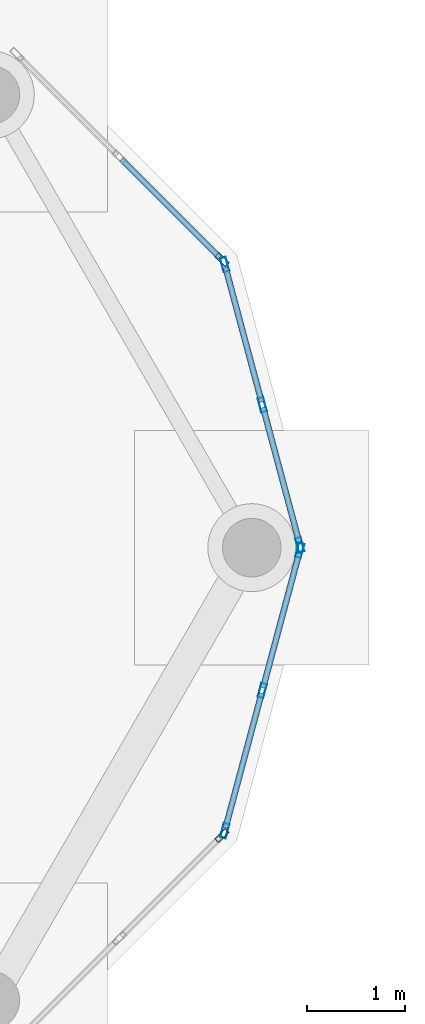
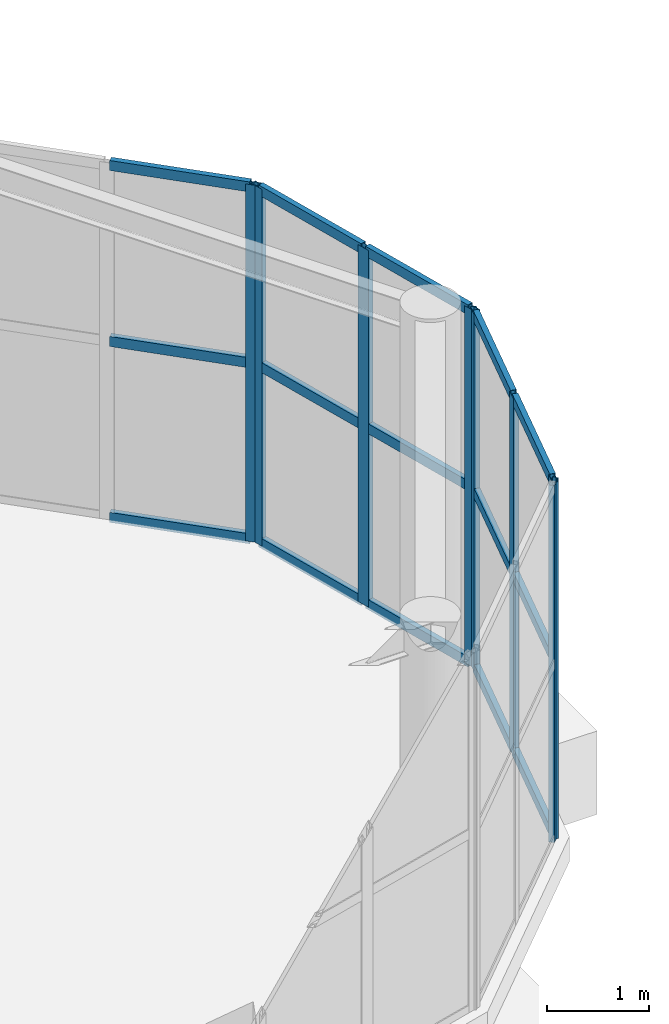
# One storey, part 68 of 139: 23 members, 4 elements without a shape of their own.
"""IFC4 building model written with IfcOpenShell, lengths in metres."""

import ifcopenshell
import ifcopenshell.guid

model = None  # the IFC model being written
_history = None  # IfcOwnerHistory: only IFC2X3 demands one
_inside = {}  # id of a spatial element -> (the spatial element, [elements in it])
_under = {}  # id of a project, library or spatial element -> (it, [spatial elements below it])
_declared = {}  # id of a project -> (the project, [libraries it declares])
_typed = {}  # id of a type object -> (the type object, [elements of that type])
_made_of = {}  # id of a material, layer set ... -> (it, [elements and type objects made of it])


def new_model(schema):
    """Start an empty IFC model of exactly this schema.

    Asked for "IFC4X3", IfcOpenShell would pick the latest addendum, in which some entities
    have other attributes; the version numbers below select the first issue.
    IFC2X3 requires an IfcOwnerHistory on every rooted entity: one is made here for all.
    """
    global model, _history
    if schema == "IFC4X3":
        model = ifcopenshell.file(schema_version=(4, 3, 0, 0))
    else:
        model = ifcopenshell.file(schema=schema)
    _inside.clear()
    _under.clear()
    _declared.clear()
    _typed.clear()
    _made_of.clear()
    _history = None
    if model.schema == "IFC2X3":
        org = make("IfcOrganization", Name="unknown")
        user = make(
            "IfcPersonAndOrganization",
            ThePerson=make("IfcPerson", FamilyName="unknown"),
            TheOrganization=org,
        )
        app = make(
            "IfcApplication",
            ApplicationDeveloper=org,
            Version="unknown",
            ApplicationFullName="unknown",
            ApplicationIdentifier="unknown",
        )
        _history = make(
            "IfcOwnerHistory",
            OwningUser=user,
            OwningApplication=app,
            ChangeAction="ADDED",
            CreationDate=0,
        )
    return model


def make(cls, **values):
    """One entity of the class cls with the attributes given. An attribute that is None is left unset."""
    return model.create_entity(
        cls, **{name: value for name, value in values.items() if value is not None}
    )


def rooted(cls, **values):
    """An entity with a GlobalId (a new one), such as an element, a storey or a relation."""
    return make(cls, GlobalId=ifcopenshell.guid.new(), OwnerHistory=_history, **values)


def si_unit(unit_type, name, prefix=None):
    """IfcSIUnit, for example si_unit("LENGTHUNIT", "METRE", prefix="MILLI")."""
    return make("IfcSIUnit", UnitType=unit_type, Prefix=prefix, Name=name)


def assignment(units):
    """IfcUnitAssignment: the units of a project."""
    return None if units is None else make("IfcUnitAssignment", Units=units)


def point(xyz):
    """IfcCartesianPoint."""
    return None if xyz is None else make("IfcCartesianPoint", Coordinates=xyz)


def direction(xyz):
    """IfcDirection."""
    return None if xyz is None else make("IfcDirection", DirectionRatios=xyz)


def frame(location, z_axis=None, x_axis=None):
    """IfcAxis2Placement3D, a coordinate frame: its origin and axes. An axis left out is left unset."""
    return make(
        "IfcAxis2Placement3D",
        Location=point(location),
        Axis=direction(z_axis),
        RefDirection=direction(x_axis),
    )


def frame_2d(location, x_axis=None):
    """IfcAxis2Placement2D, a coordinate frame in the plane: its origin and x axis."""
    return make(
        "IfcAxis2Placement2D", Location=point(location), RefDirection=direction(x_axis)
    )


def origin():
    """The frame at (0, 0, 0) with its axes left unset."""
    return frame((0.0, 0.0, 0.0))


def origin_2d():
    """The frame at (0, 0) in the plane with its x axis left unset."""
    return frame_2d((0.0, 0.0))


def place(relative_to, where):
    """IfcLocalPlacement: puts the frame where relative to a parent placement (None: the world)."""
    return make(
        "IfcLocalPlacement", PlacementRelTo=relative_to, RelativePlacement=where
    )


def context(
    kind, dimensions, precision=None, world=None, true_north=None, identifier=None
):
    """IfcGeometricRepresentationContext, for example the 3D "Model" context."""
    return make(
        "IfcGeometricRepresentationContext",
        ContextIdentifier=identifier,
        ContextType=kind,
        CoordinateSpaceDimension=dimensions,
        Precision=precision,
        WorldCoordinateSystem=world,
        TrueNorth=true_north,
    )


def subcontext(parent, identifier, kind, view, scale=None):
    """IfcGeometricRepresentationSubContext, for example "Body" below "Model"."""
    return make(
        "IfcGeometricRepresentationSubContext",
        ContextIdentifier=identifier,
        ContextType=kind,
        ParentContext=parent,
        TargetScale=scale,
        TargetView=view,
    )


def project(units=None, contexts=None):
    """IfcProject with its units and contexts."""
    return rooted(
        "IfcProject",
        Name="project",
        RepresentationContexts=contexts,
        UnitsInContext=assignment(units),
    )


def spatial(cls, under=None, at=None, **own):
    """A site, building, storey or space (cls), placed at a placement, below another one or the project."""
    s = rooted(cls, ObjectPlacement=at, **own)
    if under is not None:
        _under.setdefault(under.id(), (under, []))[1].append(s)
    return s


def profile(cls, at=None, kind="AREA", **sizes):
    """A parametric profile (cls). Its sizes go by their IFC names, for example OverallWidth=200.0."""
    return make(cls, ProfileType=kind, Position=at, **sizes)


def hollow_rectangle(**sizes):
    """IfcRectangleHollowProfileDef."""
    return profile("IfcRectangleHollowProfileDef", **sizes)


def extrude(swept, where, along, depth):
    """IfcExtrudedAreaSolid: the profile swept, set in the frame where, extruded along a direction by depth."""
    return make(
        "IfcExtrudedAreaSolid",
        SweptArea=swept,
        Position=where,
        ExtrudedDirection=direction(along),
        Depth=depth,
    )


def shape(context_of_items, identifier, shape_type, items):
    """IfcShapeRepresentation: the items that make up one representation, for example the "Body"."""
    return make(
        "IfcShapeRepresentation",
        ContextOfItems=context_of_items,
        RepresentationIdentifier=identifier,
        RepresentationType=shape_type,
        Items=items,
    )


def material(Name=None, Category=None):
    """IfcMaterial."""
    return make("IfcMaterial", Name=Name, Category=Category)


def layer(
    of_material, thickness, ventilated=None, Name=None, Category=None, Priority=None
):
    """IfcMaterialLayer: one layer of a wall or slab, of a material (None: an air gap)."""
    return make(
        "IfcMaterialLayer",
        Material=of_material,
        LayerThickness=thickness,
        IsVentilated=ventilated,
        Name=Name,
        Category=Category,
        Priority=Priority,
    )


def layer_set(layers, Name=None):
    """IfcMaterialLayerSet."""
    return make("IfcMaterialLayerSet", MaterialLayers=layers, LayerSetName=Name)


def material_profile(
    of_material, cross_section, Name=None, Category=None, Priority=None
):
    """IfcMaterialProfile: a cross section and its material."""
    return make(
        "IfcMaterialProfile",
        Name=Name,
        Material=of_material,
        Profile=cross_section,
        Priority=Priority,
        Category=Category,
    )


def profile_set(profiles, Name=None, composite=None):
    """IfcMaterialProfileSet."""
    return make(
        "IfcMaterialProfileSet",
        Name=Name,
        MaterialProfiles=profiles,
        CompositeProfile=composite,
    )


def made_of(thing, what):
    """Note that an element or type object is made of a material, layer set ...; save() writes the relation."""
    if what is not None:
        _made_of.setdefault(what.id(), (what, []))[1].append(thing)
    return thing


def type_object(cls, material=None, **own):
    """A type object (cls), such as IfcWallType, which elements share."""
    return made_of(rooted(cls, **own), material)


def element(
    cls,
    number,
    at=None,
    inside=None,
    cuts=None,
    type_object=None,
    material=None,
    context=None,
    identifier="Body",
    shape_type=None,
    held_by="IfcProductDefinitionShape",
    body=None,
    shapes=None,
    **own,
):
    """One element of the class cls, such as IfcWall. Its Tag is "e" and its number.

    at: its placement. inside: the storey or other place that contains it. cuts: it is an
    opening in that element (IfcRelVoidsElement). A single representation is given by context,
    identifier, shape_type and body (its items); several are given by shapes. held_by: the class
    of the entity that holds the representations. save() writes the other relations.
    """
    e = rooted(cls, Tag="e%d" % number, ObjectPlacement=at, **own)
    if body is not None:
        shapes = [shape(context, identifier, shape_type, body)]
    if shapes is not None:
        e.Representation = make(held_by, Representations=shapes)
    if inside is not None:
        _inside.setdefault(inside.id(), (inside, []))[1].append(e)
    if cuts is not None:
        rooted(
            "IfcRelVoidsElement", RelatingBuildingElement=cuts, RelatedOpeningElement=e
        )
    if type_object is not None:
        _typed.setdefault(type_object.id(), (type_object, []))[1].append(e)
    return made_of(e, material)


def aggregate(whole, parts):
    """IfcRelAggregates: a whole, such as a stair, and the parts it consists of."""
    return rooted("IfcRelAggregates", RelatingObject=whole, RelatedObjects=parts)


def save(model, path):
    """Write the relations noted so far, then the file.

    IfcRelAggregates (storeys below a building ...), IfcRelContainedInSpatialStructure (elements
    in a storey), IfcRelDefinesByType, IfcRelAssociatesMaterial and IfcRelDeclares: one each for
    every whole, place, type object, material and project.
    """
    for whole, parts in _under.values():
        aggregate(whole, parts)
    for where, things in _inside.values():
        rooted(
            "IfcRelContainedInSpatialStructure",
            RelatedElements=things,
            RelatingStructure=where,
        )
    for kind, things in _typed.values():
        rooted("IfcRelDefinesByType", RelatedObjects=things, RelatingType=kind)
    for what, things in _made_of.values():
        rooted("IfcRelAssociatesMaterial", RelatedObjects=things, RelatingMaterial=what)
    for by, libraries in _declared.values():
        rooted("IfcRelDeclares", RelatingContext=by, RelatedDefinitions=libraries)
    model.write(path)


model = new_model("IFC4")

# Units and contexts
model_context = context("Model", 3, precision=1e-05, world=origin(), true_north=direction((0.0, 1.0)))
body_context = subcontext(model_context, "Body", "Model", "MODEL_VIEW")
ifc_project = project(units=[si_unit("LENGTHUNIT", "METRE"), si_unit("AREAUNIT", "SQUARE_METRE"), si_unit("VOLUMEUNIT", "CUBIC_METRE"), si_unit("PLANEANGLEUNIT", "RADIAN"), si_unit("MASSUNIT", "GRAM", prefix="KILO")], contexts=[model_context])

# Site, building, storey
site_placement = place(None, origin())
site = spatial("IfcSite", under=ifc_project, at=site_placement, CompositionType="ELEMENT")
building_placement = place(site_placement, origin())
building = spatial("IfcBuilding", under=site, at=building_placement, Name="Zizhar Promenade General Hospital", CompositionType="ELEMENT")
storey_placement = place(building_placement, origin())
storey = spatial("IfcBuildingStorey", under=building, at=storey_placement, Name="L00", CompositionType="ELEMENT", Elevation=0.0)

# Curtain wall, members
ifc_material_1 = material(Name="Anodised aluminium 6063-T6 and low-E glass", Category="aluminium")
ifc_layer = layer(ifc_material_1, 0.159912109375)
ifc_layer_set = layer_set([ifc_layer], Name="Anodised aluminium 6063-T6 and low-E glass")
curtain_wall_type = type_object("IfcCurtainWallType", Name="CW-PAV-GLZ", PredefinedType="NOTDEFINED", material=ifc_layer_set)
curtain_wall_1_placement = place(storey_placement, origin())
curtain_wall_1 = element("IfcCurtainWall", 1, at=curtain_wall_1_placement, inside=storey, type_object=curtain_wall_type, Name="Community Health Information Pavilion Curved Glazing 1", PredefinedType="NOTDEFINED")
ifc_material_2 = material(Name="Anodised aluminium 6063-T6", Category="aluminium")
ifc_material_profile_1 = material_profile(ifc_material_2, hollow_rectangle(XDim=0.06005859375, YDim=0.14990234375, WallThickness=0.00390625, at=origin_2d()))
ifc_profile_set_1 = profile_set([ifc_material_profile_1], Name="Anodised aluminium 6063-T6")
member_type_1 = type_object("IfcMemberType", Name="CWM-ALU-150x60", PredefinedType="MULLION", material=ifc_profile_set_1)
member_1_placement = place(storey_placement, frame((188.073974609375, 30.89599609375, 0.0), z_axis=(0.0, 0.0, 1.0), x_axis=(0.965921812881, 0.25883402288, 0.0)))
member_1 = element("IfcMember", 2, at=member_1_placement, type_object=member_type_1, Name="CW-14 mullion 1", PredefinedType="MULLION", context=body_context, shape_type="SweptSolid", body=[
    extrude(hollow_rectangle(XDim=0.06005859375, YDim=0.14990234375, WallThickness=0.00390625, at=origin_2d()), origin(), (0.0, 0.0, 1.0), 4.280029296875),
])
member_2_placement = place(storey_placement, frame((188.4580078125, 29.46240234375, 0.0), z_axis=(0.0, 0.0, 1.0), x_axis=(0.965921812881, 0.25883402288, 0.0)))
member_2 = element("IfcMember", 3, at=member_2_placement, type_object=member_type_1, Name="CW-14 mullion 2", PredefinedType="MULLION", context=body_context, shape_type="SweptSolid", body=[
    extrude(hollow_rectangle(XDim=0.06005859375, YDim=0.14990234375, WallThickness=0.00390625, at=origin_2d()), origin(), (0.0, 0.0, 1.0), 4.280029296875),
])
member_3_placement = place(storey_placement, frame((188.84228515625, 28.029052734375, 0.0), z_axis=(0.0, 0.0, 1.0), x_axis=(0.965921812881, 0.25883402288, 0.0)))
member_3 = element("IfcMember", 4, at=member_3_placement, type_object=member_type_1, Name="CW-14 mullion 3", PredefinedType="MULLION", context=body_context, shape_type="SweptSolid", body=[
    extrude(hollow_rectangle(XDim=0.06005859375, YDim=0.14990234375, WallThickness=0.00390625, at=origin_2d()), origin(), (0.0, 0.0, 1.0), 4.280029296875),
])

# Curtain wall, member
curtain_wall_2_placement = place(storey_placement, origin())
curtain_wall_2 = element("IfcCurtainWall", 5, at=curtain_wall_2_placement, inside=storey, type_object=curtain_wall_type, Name="Community Health Information Pavilion Curved Glazing 2", PredefinedType="NOTDEFINED")
member_4_placement = place(storey_placement, frame((188.044921875, 30.9462890625, 0.0), z_axis=(0.0, 0.0, 1.0), x_axis=(0.707106781187, 0.707106781187, 0.0)))
member_4 = element("IfcMember", 6, at=member_4_placement, type_object=member_type_1, Name="CW-14 mullion 3", PredefinedType="MULLION", context=body_context, shape_type="SweptSolid", body=[
    extrude(hollow_rectangle(XDim=0.06005859375, YDim=0.14990234375, WallThickness=0.00390625, at=origin_2d()), origin(), (0.0, 0.0, 1.0), 4.280029296875),
])

curtain_wall_3_placement = place(storey_placement, origin())
curtain_wall_3 = element("IfcCurtainWall", 7, at=curtain_wall_3_placement, inside=storey, type_object=curtain_wall_type, Name="Community Health Information Pavilion Curved Glazing 11", PredefinedType="NOTDEFINED")
member_5_placement = place(storey_placement, frame((188.044921875, 25.0537109375, 0.0), z_axis=(0.0, 0.0, 1.0), x_axis=(0.707106781187, -0.707106781187, 0.0)))
member_5 = element("IfcMember", 8, at=member_5_placement, type_object=member_type_1, Name="CW-14 mullion 1", PredefinedType="MULLION", context=body_context, shape_type="SweptSolid", body=[
    extrude(hollow_rectangle(XDim=0.06005859375, YDim=0.14990234375, WallThickness=0.00390625, at=origin_2d()), origin(), (0.0, 0.0, 1.0), 4.280029296875),
])
aggregate(curtain_wall_3, [member_5])

# Curtain wall, members
curtain_wall_4_placement = place(storey_placement, origin())
curtain_wall_4 = element("IfcCurtainWall", 9, at=curtain_wall_4_placement, inside=storey, type_object=curtain_wall_type, Name="Community Health Information Pavilion Curved Glazing 12", PredefinedType="NOTDEFINED")
member_6_placement = place(storey_placement, frame((188.84228515625, 27.970947265625, 0.0), z_axis=(0.0, 0.0, 1.0), x_axis=(0.965921812881, -0.25883402288, 0.0)))
member_6 = element("IfcMember", 10, at=member_6_placement, type_object=member_type_1, Name="CW-14 mullion 1", PredefinedType="MULLION", context=body_context, shape_type="SweptSolid", body=[
    extrude(hollow_rectangle(XDim=0.06005859375, YDim=0.14990234375, WallThickness=0.00390625, at=origin_2d()), origin(), (0.0, 0.0, 1.0), 4.280029296875),
])
member_7_placement = place(storey_placement, frame((188.4580078125, 26.53759765625, 0.0), z_axis=(0.0, 0.0, 1.0), x_axis=(0.965921812881, -0.25883402288, 0.0)))
member_7 = element("IfcMember", 11, at=member_7_placement, type_object=member_type_1, Name="CW-14 mullion 2", PredefinedType="MULLION", context=body_context, shape_type="SweptSolid", body=[
    extrude(hollow_rectangle(XDim=0.06005859375, YDim=0.14990234375, WallThickness=0.00390625, at=origin_2d()), origin(), (0.0, 0.0, 1.0), 4.280029296875),
])
member_8_placement = place(storey_placement, frame((188.073974609375, 25.10400390625, 0.0), z_axis=(0.0, 0.0, 1.0), x_axis=(0.965921812881, -0.25883402288, 0.0)))
member_8 = element("IfcMember", 12, at=member_8_placement, type_object=member_type_1, Name="CW-14 mullion 3", PredefinedType="MULLION", context=body_context, shape_type="SweptSolid", body=[
    extrude(hollow_rectangle(XDim=0.06005859375, YDim=0.14990234375, WallThickness=0.00390625, at=origin_2d()), origin(), (0.0, 0.0, 1.0), 4.280029296875),
])

# Member
ifc_material_3 = material(Name="Anodised aluminium 6063-T6", Category="aluminium")
ifc_material_profile_2 = material_profile(ifc_material_3, hollow_rectangle(XDim=0.06005859375, YDim=0.1201171875, WallThickness=0.00390625, at=origin_2d()))
ifc_profile_set_2 = profile_set([ifc_material_profile_2], Name="Anodised aluminium 6063-T6")
member_type_2 = type_object("IfcMemberType", Name="CWT-ALU-120x60", PredefinedType="USERDEFINED", material=ifc_profile_set_2)
member_9_placement = place(storey_placement, frame((188.081787109375, 30.866943359375, 0.030029296875), z_axis=(0.258878909043, -0.965909783806, 0.0), x_axis=(0.965909783806, 0.258878909043, 0.0)))
member_9 = element("IfcMember", 13, at=member_9_placement, type_object=member_type_2, Name="CW-14 transom 1.1", ObjectType="TRANSOM", PredefinedType="USERDEFINED", context=body_context, shape_type="SweptSolid", body=[
    extrude(hollow_rectangle(XDim=0.06005859375, YDim=0.1201171875, WallThickness=0.00390625, at=origin_2d()), origin(), (0.0, 0.0, 1.0), 1.424072265625),
])

member_10_placement = place(storey_placement, frame((188.081787109375, 30.866943359375, 2.139892578125), z_axis=(0.258878909043, -0.965909783806, 0.0), x_axis=(0.965909783806, 0.258878909043, 0.0)))
member_10 = element("IfcMember", 14, at=member_10_placement, type_object=member_type_2, Name="CW-14 transom 1.2", ObjectType="TRANSOM", PredefinedType="USERDEFINED", context=body_context, shape_type="SweptSolid", body=[
    extrude(hollow_rectangle(XDim=0.06005859375, YDim=0.1201171875, WallThickness=0.00390625, at=origin_2d()), origin(), (0.0, 0.0, 1.0), 1.424072265625),
])

member_11_placement = place(storey_placement, frame((188.081787109375, 30.866943359375, 4.25), z_axis=(0.258878909043, -0.965909783806, 0.0), x_axis=(0.965909783806, 0.258878909043, 0.0)))
member_11 = element("IfcMember", 15, at=member_11_placement, type_object=member_type_2, Name="CW-14 transom 1.3", ObjectType="TRANSOM", PredefinedType="USERDEFINED", context=body_context, shape_type="SweptSolid", body=[
    extrude(hollow_rectangle(XDim=0.06005859375, YDim=0.1201171875, WallThickness=0.00390625, at=origin_2d()), origin(), (0.0, 0.0, 1.0), 1.424072265625),
])

member_12_placement = place(storey_placement, frame((188.4658203125, 29.43359375, 0.030029296875), z_axis=(0.258836045938, -0.965921270769, 0.0), x_axis=(0.965921270769, 0.258836045938, 0.0)))
member_12 = element("IfcMember", 16, at=member_12_placement, type_object=member_type_2, Name="CW-14 transom 2.1", ObjectType="TRANSOM", PredefinedType="USERDEFINED", context=body_context, shape_type="SweptSolid", body=[
    extrude(hollow_rectangle(XDim=0.06005859375, YDim=0.1201171875, WallThickness=0.00390625, at=origin_2d()), origin(), (0.0, 0.0, 1.0), 1.42431640625),
])

member_13_placement = place(storey_placement, frame((188.4658203125, 29.43359375, 2.139892578125), z_axis=(0.258836045938, -0.965921270769, 0.0), x_axis=(0.965921270769, 0.258836045938, 0.0)))
member_13 = element("IfcMember", 17, at=member_13_placement, type_object=member_type_2, Name="CW-14 transom 2.2", ObjectType="TRANSOM", PredefinedType="USERDEFINED", context=body_context, shape_type="SweptSolid", body=[
    extrude(hollow_rectangle(XDim=0.06005859375, YDim=0.1201171875, WallThickness=0.00390625, at=origin_2d()), origin(), (0.0, 0.0, 1.0), 1.42431640625),
])

member_14_placement = place(storey_placement, frame((188.4658203125, 29.43359375, 4.25), z_axis=(0.258836045938, -0.965921270769, 0.0), x_axis=(0.965921270769, 0.258836045938, 0.0)))
member_14 = element("IfcMember", 18, at=member_14_placement, type_object=member_type_2, Name="CW-14 transom 2.3", ObjectType="TRANSOM", PredefinedType="USERDEFINED", context=body_context, shape_type="SweptSolid", body=[
    extrude(hollow_rectangle(XDim=0.06005859375, YDim=0.1201171875, WallThickness=0.00390625, at=origin_2d()), origin(), (0.0, 0.0, 1.0), 1.42431640625),
])

aggregate(curtain_wall_1, [member_1, member_2, member_3, member_9, member_10, member_11, member_12, member_13, member_14])

member_15_placement = place(storey_placement, frame((187.016845703125, 31.974365234375, 0.030029296875), z_axis=(0.707106781187, -0.707106781187, 0.0), x_axis=(0.707106781187, 0.707106781187, 0.0)))
member_15 = element("IfcMember", 19, at=member_15_placement, type_object=member_type_2, Name="CW-14 transom 2.1", ObjectType="TRANSOM", PredefinedType="USERDEFINED", context=body_context, shape_type="SweptSolid", body=[
    extrude(hollow_rectangle(XDim=0.06005859375, YDim=0.1201171875, WallThickness=0.00390625, at=origin_2d()), origin(), (0.0, 0.0, 1.0), 1.423828125),
])

member_16_placement = place(storey_placement, frame((187.016845703125, 31.974365234375, 2.139892578125), z_axis=(0.707106781187, -0.707106781187, 0.0), x_axis=(0.707106781187, 0.707106781187, 0.0)))
member_16 = element("IfcMember", 20, at=member_16_placement, type_object=member_type_2, Name="CW-14 transom 2.2", ObjectType="TRANSOM", PredefinedType="USERDEFINED", context=body_context, shape_type="SweptSolid", body=[
    extrude(hollow_rectangle(XDim=0.06005859375, YDim=0.1201171875, WallThickness=0.00390625, at=origin_2d()), origin(), (0.0, 0.0, 1.0), 1.423828125),
])

member_17_placement = place(storey_placement, frame((187.016845703125, 31.974365234375, 4.25), z_axis=(0.707106781187, -0.707106781187, 0.0), x_axis=(0.707106781187, 0.707106781187, 0.0)))
member_17 = element("IfcMember", 21, at=member_17_placement, type_object=member_type_2, Name="CW-14 transom 2.3", ObjectType="TRANSOM", PredefinedType="USERDEFINED", context=body_context, shape_type="SweptSolid", body=[
    extrude(hollow_rectangle(XDim=0.06005859375, YDim=0.1201171875, WallThickness=0.00390625, at=origin_2d()), origin(), (0.0, 0.0, 1.0), 1.423828125),
])

aggregate(curtain_wall_2, [member_4, member_15, member_16, member_17])

member_18_placement = place(storey_placement, frame((188.83447265625, 27.942138671875, 0.030029296875), z_axis=(-0.258836045938, -0.965921270769, 0.0), x_axis=(0.965921270769, -0.258836045938, 0.0)))
member_18 = element("IfcMember", 22, at=member_18_placement, type_object=member_type_2, Name="CW-14 transom 1.1", ObjectType="TRANSOM", PredefinedType="USERDEFINED", context=body_context, shape_type="SweptSolid", body=[
    extrude(hollow_rectangle(XDim=0.06005859375, YDim=0.1201171875, WallThickness=0.00390625, at=origin_2d()), origin(), (0.0, 0.0, 1.0), 1.42431640625),
])

member_19_placement = place(storey_placement, frame((188.83447265625, 27.942138671875, 2.139892578125), z_axis=(-0.258836045938, -0.965921270769, 0.0), x_axis=(0.965921270769, -0.258836045938, 0.0)))
member_19 = element("IfcMember", 23, at=member_19_placement, type_object=member_type_2, Name="CW-14 transom 1.2", ObjectType="TRANSOM", PredefinedType="USERDEFINED", context=body_context, shape_type="SweptSolid", body=[
    extrude(hollow_rectangle(XDim=0.06005859375, YDim=0.1201171875, WallThickness=0.00390625, at=origin_2d()), origin(), (0.0, 0.0, 1.0), 1.42431640625),
])

member_20_placement = place(storey_placement, frame((188.83447265625, 27.942138671875, 4.25), z_axis=(-0.258836045938, -0.965921270769, 0.0), x_axis=(0.965921270769, -0.258836045938, 0.0)))
member_20 = element("IfcMember", 24, at=member_20_placement, type_object=member_type_2, Name="CW-14 transom 1.3", ObjectType="TRANSOM", PredefinedType="USERDEFINED", context=body_context, shape_type="SweptSolid", body=[
    extrude(hollow_rectangle(XDim=0.06005859375, YDim=0.1201171875, WallThickness=0.00390625, at=origin_2d()), origin(), (0.0, 0.0, 1.0), 1.42431640625),
])

member_21_placement = place(storey_placement, frame((188.450439453125, 26.508544921875, 0.030029296875), z_axis=(-0.258878909043, -0.965909783806, 0.0), x_axis=(0.965909783806, -0.258878909043, 0.0)))
member_21 = element("IfcMember", 25, at=member_21_placement, type_object=member_type_2, Name="CW-14 transom 2.1", ObjectType="TRANSOM", PredefinedType="USERDEFINED", context=body_context, shape_type="SweptSolid", body=[
    extrude(hollow_rectangle(XDim=0.06005859375, YDim=0.1201171875, WallThickness=0.00390625, at=origin_2d()), origin(), (0.0, 0.0, 1.0), 1.424072265625),
])

member_22_placement = place(storey_placement, frame((188.450439453125, 26.508544921875, 2.139892578125), z_axis=(-0.258878909043, -0.965909783806, 0.0), x_axis=(0.965909783806, -0.258878909043, 0.0)))
member_22 = element("IfcMember", 26, at=member_22_placement, type_object=member_type_2, Name="CW-14 transom 2.2", ObjectType="TRANSOM", PredefinedType="USERDEFINED", context=body_context, shape_type="SweptSolid", body=[
    extrude(hollow_rectangle(XDim=0.06005859375, YDim=0.1201171875, WallThickness=0.00390625, at=origin_2d()), origin(), (0.0, 0.0, 1.0), 1.424072265625),
])

member_23_placement = place(storey_placement, frame((188.450439453125, 26.508544921875, 4.25), z_axis=(-0.258878909043, -0.965909783806, 0.0), x_axis=(0.965909783806, -0.258878909043, 0.0)))
member_23 = element("IfcMember", 27, at=member_23_placement, type_object=member_type_2, Name="CW-14 transom 2.3", ObjectType="TRANSOM", PredefinedType="USERDEFINED", context=body_context, shape_type="SweptSolid", body=[
    extrude(hollow_rectangle(XDim=0.06005859375, YDim=0.1201171875, WallThickness=0.00390625, at=origin_2d()), origin(), (0.0, 0.0, 1.0), 1.424072265625),
])

aggregate(curtain_wall_4, [member_6, member_7, member_8, member_18, member_19, member_20, member_21, member_22, member_23])

save(model, "model.ifc")
